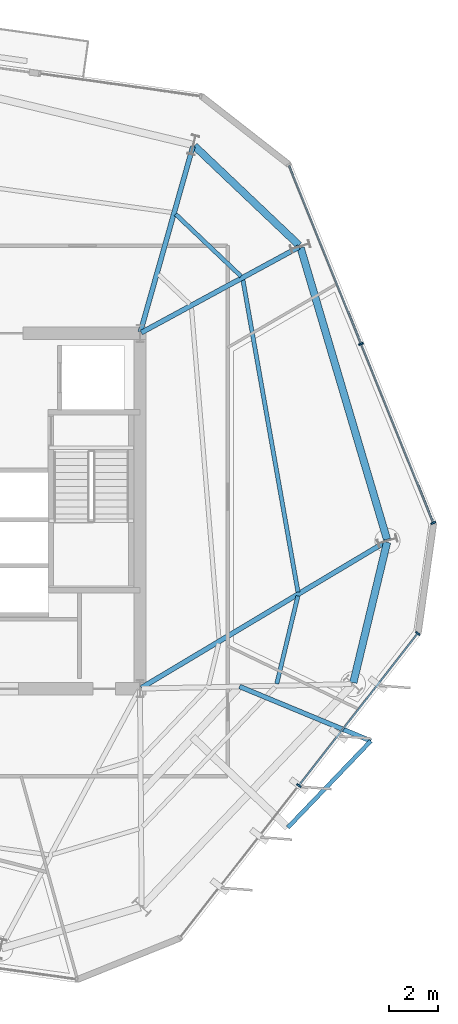
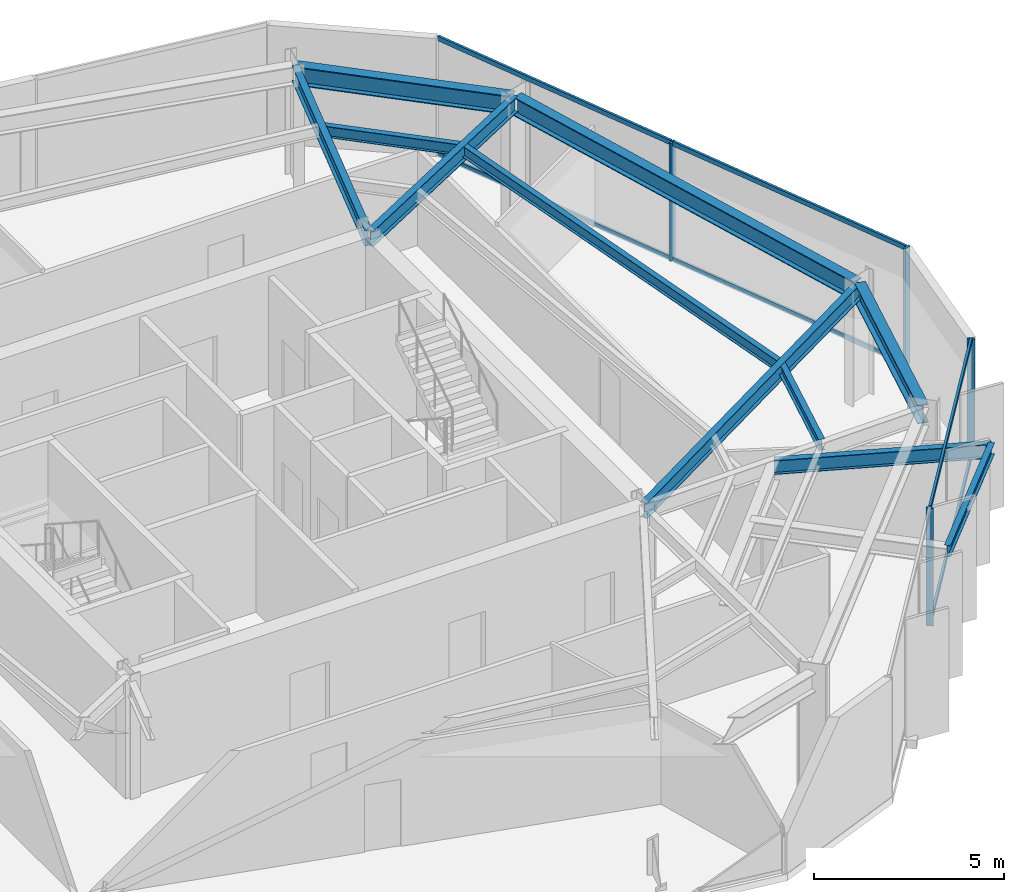
# One storey, part 4 of 11: 11 beams, 10 members, 2 elements without a shape of their own.
"""IFC4 building model written with IfcOpenShell, lengths in metres."""

from ifc_helpers import new_model, si_unit, direction, frame, origin, origin_2d, place, context, subcontext, project, spatial, rectangle, i_section, extrude, material, layer, layer_set, material_profile, profile_set, type_object, element, aggregate, save


model = new_model("IFC4")

# Units and contexts
model_context = context("Model", 3, precision=1e-05, world=origin(), true_north=direction((0.0, 1.0)))
body_context = subcontext(model_context, "Body", "Model", "MODEL_VIEW")
ifc_project = project(units=[si_unit("LENGTHUNIT", "METRE"), si_unit("AREAUNIT", "SQUARE_METRE"), si_unit("VOLUMEUNIT", "CUBIC_METRE"), si_unit("PLANEANGLEUNIT", "RADIAN"), si_unit("MASSUNIT", "GRAM", prefix="KILO")], contexts=[model_context])

# Site, building, storey
site_placement = place(None, origin())
site = spatial("IfcSite", under=ifc_project, at=site_placement, CompositionType="ELEMENT")
building_placement = place(site_placement, origin())
building = spatial("IfcBuilding", under=site, at=building_placement, Name="Kranzbogen Civic Tower", CompositionType="ELEMENT")
storey_placement = place(building_placement, frame((0.0, 0.0, 232.800048828125)))
storey = spatial("IfcBuildingStorey", under=building, at=storey_placement, Name="L56", CompositionType="ELEMENT", Elevation=232.800048828125)

# Beam
ifc_material_1 = material(Name="Steel S355", Category="steel")
ifc_material_profile_1 = material_profile(ifc_material_1, i_section(OverallWidth=0.18994140625, OverallDepth=0.449951171875, WebThickness=0.009521484375, FlangeThickness=0.0146484375, at=origin_2d()), Name="IPE 450")
ifc_profile_set_1 = profile_set([ifc_material_profile_1], Name="Steel S355")
beam_type_1 = type_object("IfcBeamType", Name="Braced Terrace Edge Beam IPE 450", PredefinedType="BEAM", material=ifc_profile_set_1)
beam_1_placement = place(storey_placement, frame((36.833984375, 17.885986328125, 3.52490234375), z_axis=(0.923841191565, -0.382775982486, 0.0), x_axis=(0.382775982486, 0.923841191565, 0.0)))
element("IfcBeam", 1, at=beam_1_placement, inside=storey, type_object=beam_type_1, Name="L57 back-spanned terrace beam L57-TB2-2", PredefinedType="BEAM", context=body_context, shape_type="SweptSolid", body=[
    extrude(i_section(OverallWidth=0.18994140625, OverallDepth=0.449951171875, WebThickness=0.009521484375, FlangeThickness=0.0146484375, at=origin_2d()), origin(), (0.0, 0.0, 1.0), 5.7607421875),
])

# Curtain wall, members
ifc_material_2 = material(Name="Pale Anodised Aluminium", Category="aluminium")
ifc_layer = layer(ifc_material_2, 0.219970703125, Name="Pale Anodised Aluminium")
ifc_layer_set = layer_set([ifc_layer], Name="Pale Anodised Aluminium")
curtain_wall_type = type_object("IfcCurtainWallType", Name="Zone 3 Stick Curtain Wall System CW-04", PredefinedType="USERDEFINED", material=ifc_layer_set)
curtain_wall_1_placement = place(storey_placement, origin())
curtain_wall_1 = element("IfcCurtainWall", 2, at=curtain_wall_1_placement, inside=storey, type_object=curtain_wall_type, Name="L56 curtain wall CW-L56-F5", ObjectType="STICK CURTAIN WALL", PredefinedType="USERDEFINED")
ifc_material_profile_2 = material_profile(ifc_material_2, rectangle(XDim=0.070068359375, YDim=0.199951171875, at=origin_2d()), Name="ALU-M 70x200")
ifc_profile_set_2 = profile_set([ifc_material_profile_2], Name="Pale Anodised Aluminium")
member_type_1 = type_object("IfcMemberType", Name="Curtain Wall Mullion ALU-M 70x200", PredefinedType="MULLION", material=ifc_profile_set_2)
member_1_placement = place(storey_placement, frame((39.239990234375, 13.8740234375, 0.0), z_axis=(0.0, 0.0, 1.0), x_axis=(0.615631687439, 0.788034025548, 0.0)))
member_1 = element("IfcMember", 3, at=member_1_placement, type_object=member_type_1, Name="CW-04 mullion 2", PredefinedType="MULLION", context=body_context, shape_type="SweptSolid", body=[
    extrude(rectangle(XDim=0.070068359375, YDim=0.199951171875, at=origin_2d()), origin(), (0.0, 0.0, 1.0), 3.780029296875),
])
member_2_placement = place(storey_placement, frame((44.056640625, 20.039306640625, 0.0), z_axis=(0.0, 0.0, 1.0), x_axis=(0.615631687439, 0.788034025548, 0.0)))
member_2 = element("IfcMember", 4, at=member_2_placement, type_object=member_type_1, Name="CW-04 mullion 3", PredefinedType="MULLION", context=body_context, shape_type="SweptSolid", body=[
    extrude(rectangle(XDim=0.070068359375, YDim=0.199951171875, at=origin_2d()), origin(), (0.0, 0.0, 1.0), 3.780029296875),
])

curtain_wall_2_placement = place(storey_placement, origin())
curtain_wall_2 = element("IfcCurtainWall", 5, at=curtain_wall_2_placement, inside=storey, type_object=curtain_wall_type, Name="L56 curtain wall CW-L56-F6", ObjectType="STICK CURTAIN WALL", PredefinedType="USERDEFINED")
member_3_placement = place(storey_placement, frame((44.686767578125, 24.515869140625, 0.0), z_axis=(0.0, 0.0, 1.0), x_axis=(-0.374593570389, 0.927189116105, 0.0)))
member_3 = element("IfcMember", 6, at=member_3_placement, type_object=member_type_1, Name="CW-04 mullion 1", PredefinedType="MULLION", context=body_context, shape_type="SweptSolid", body=[
    extrude(rectangle(XDim=0.070068359375, YDim=0.199951171875, at=origin_2d()), origin(), (0.0, 0.0, 1.0), 3.780029296875),
])
member_4_placement = place(storey_placement, frame((41.756103515625, 31.77001953125, 0.0), z_axis=(0.0, 0.0, 1.0), x_axis=(-0.374593570389, 0.927189116105, 0.0)))
member_4 = element("IfcMember", 7, at=member_4_placement, type_object=member_type_1, Name="CW-04 mullion 2", PredefinedType="MULLION", context=body_context, shape_type="SweptSolid", body=[
    extrude(rectangle(XDim=0.070068359375, YDim=0.199951171875, at=origin_2d()), origin(), (0.0, 0.0, 1.0), 3.780029296875),
])

# Member
ifc_material_profile_3 = material_profile(ifc_material_2, rectangle(XDim=0.070068359375, YDim=0.14990234375, at=origin_2d()), Name="ALU-T 70x150")
ifc_profile_set_3 = profile_set([ifc_material_profile_3], Name="Pale Anodised Aluminium")
member_type_2 = type_object("IfcMemberType", Name="Curtain Wall Transom ALU-T 70x150", PredefinedType="USERDEFINED", material=ifc_profile_set_3)
member_5_placement = place(storey_placement, frame((39.258544921875, 13.897705078125, 0.030029296875), z_axis=(0.615637329195, 0.788029618036, 0.0), x_axis=(-0.788029618036, 0.615637329195, 0.0)))
member_5 = element("IfcMember", 8, at=member_5_placement, type_object=member_type_2, Name="CW-04 transom 2.1", ObjectType="TRANSOM", PredefinedType="USERDEFINED", context=body_context, shape_type="SweptSolid", body=[
    extrude(rectangle(XDim=0.070068359375, YDim=0.14990234375, at=origin_2d()), origin(), (0.0, 0.0, 1.0), 7.763671875),
])

member_6_placement = place(storey_placement, frame((39.258544921875, 13.897705078125, 3.75), z_axis=(0.615637329195, 0.788029618036, 0.0), x_axis=(-0.788029618036, 0.615637329195, 0.0)))
member_6 = element("IfcMember", 9, at=member_6_placement, type_object=member_type_2, Name="CW-04 transom 2.2", ObjectType="TRANSOM", PredefinedType="USERDEFINED", context=body_context, shape_type="SweptSolid", body=[
    extrude(rectangle(XDim=0.070068359375, YDim=0.14990234375, at=origin_2d()), origin(), (0.0, 0.0, 1.0), 7.763671875),
])

aggregate(curtain_wall_1, [member_1, member_2, member_5, member_6])

member_7_placement = place(storey_placement, frame((44.675537109375, 24.543701171875, 0.030029296875), z_axis=(-0.374587311281, 0.927191644822, 0.0), x_axis=(-0.927191644822, -0.374587311281, 0.0)))
member_7 = element("IfcMember", 10, at=member_7_placement, type_object=member_type_2, Name="CW-04 transom 1.1", ObjectType="TRANSOM", PredefinedType="USERDEFINED", context=body_context, shape_type="SweptSolid", body=[
    extrude(rectangle(XDim=0.070068359375, YDim=0.14990234375, at=origin_2d()), origin(), (0.0, 0.0, 1.0), 7.763671875),
])

member_8_placement = place(storey_placement, frame((44.675537109375, 24.543701171875, 3.75), z_axis=(-0.374587311281, 0.927191644822, 0.0), x_axis=(-0.927191644822, -0.374587311281, 0.0)))
member_8 = element("IfcMember", 11, at=member_8_placement, type_object=member_type_2, Name="CW-04 transom 1.2", ObjectType="TRANSOM", PredefinedType="USERDEFINED", context=body_context, shape_type="SweptSolid", body=[
    extrude(rectangle(XDim=0.070068359375, YDim=0.14990234375, at=origin_2d()), origin(), (0.0, 0.0, 1.0), 7.763671875),
])

member_9_placement = place(storey_placement, frame((41.744873046875, 31.7978515625, 0.030029296875), z_axis=(-0.374614344622, 0.927180722839, 0.0), x_axis=(-0.927180722839, -0.374614344622, 0.0)))
member_9 = element("IfcMember", 12, at=member_9_placement, type_object=member_type_2, Name="CW-04 transom 2.1", ObjectType="TRANSOM", PredefinedType="USERDEFINED", context=body_context, shape_type="SweptSolid", body=[
    extrude(rectangle(XDim=0.070068359375, YDim=0.14990234375, at=origin_2d()), origin(), (0.0, 0.0, 1.0), 7.763916015625),
])

member_10_placement = place(storey_placement, frame((41.744873046875, 31.7978515625, 3.75), z_axis=(-0.374614344622, 0.927180722839, 0.0), x_axis=(-0.927180722839, -0.374614344622, 0.0)))
member_10 = element("IfcMember", 13, at=member_10_placement, type_object=member_type_2, Name="CW-04 transom 2.2", ObjectType="TRANSOM", PredefinedType="USERDEFINED", context=body_context, shape_type="SweptSolid", body=[
    extrude(rectangle(XDim=0.070068359375, YDim=0.14990234375, at=origin_2d()), origin(), (0.0, 0.0, 1.0), 7.763916015625),
])

aggregate(curtain_wall_2, [member_3, member_4, member_7, member_8, member_9, member_10])

# Beams
ifc_material_profile_4 = material_profile(ifc_material_1, i_section(OverallWidth=0.300048828125, OverallDepth=0.60009765625, WebThickness=0.015380859375, FlangeThickness=0.030029296875, at=origin_2d()), Name="HEB 600")
ifc_profile_set_4 = profile_set([ifc_material_profile_4], Name="Steel S355")
beam_type_2 = type_object("IfcBeamType", Name="Perimeter Tube Spandrel Beam HEB 600", PredefinedType="SPANDREL", material=ifc_profile_set_4)
beam_2_placement = place(storey_placement, frame((41.447021484375, 18.0419921875, 3.47998046875), z_axis=(0.233554380434, 0.972343741369, 0.0), x_axis=(-0.972343741369, 0.233554380434, 0.0)))
element("IfcBeam", 14, at=beam_2_placement, inside=storey, type_object=beam_type_2, Name="L56 perimeter spandrel beam 05", PredefinedType="SPANDREL", context=body_context, shape_type="SweptSolid", body=[
    extrude(i_section(OverallWidth=0.300048828125, OverallDepth=0.60009765625, WebThickness=0.015380859375, FlangeThickness=0.030029296875, at=origin_2d()), origin(), (0.0, 0.0, 1.0), 5.852783203125),
])
beam_3_placement = place(storey_placement, frame((42.81103515625, 23.84912109375, 3.47998046875), z_axis=(-0.284064048956, 0.958805306666, 0.0), x_axis=(-0.958805306666, -0.284064048956, 0.0)))
element("IfcBeam", 15, at=beam_3_placement, inside=storey, type_object=beam_type_2, Name="L56 perimeter spandrel beam 06", PredefinedType="SPANDREL", context=body_context, shape_type="SweptSolid", body=[
    extrude(i_section(OverallWidth=0.300048828125, OverallDepth=0.60009765625, WebThickness=0.015380859375, FlangeThickness=0.030029296875, at=origin_2d()), origin(), (0.0, 0.0, 1.0), 12.32470703125),
])
beam_4_placement = place(storey_placement, frame((39.2490234375, 35.764892578125, 3.47998046875), z_axis=(-0.725245206788, 0.688490660816, 0.0), x_axis=(-0.688490660816, -0.725245206788, 0.0)))
element("IfcBeam", 16, at=beam_4_placement, inside=storey, type_object=beam_type_2, Name="L56 perimeter spandrel beam 07", PredefinedType="SPANDREL", context=body_context, shape_type="SweptSolid", body=[
    extrude(i_section(OverallWidth=0.300048828125, OverallDepth=0.60009765625, WebThickness=0.015380859375, FlangeThickness=0.030029296875, at=origin_2d()), origin(), (0.0, 0.0, 1.0), 5.85205078125),
])
ifc_material_profile_5 = material_profile(ifc_material_1, i_section(OverallWidth=0.199951171875, OverallDepth=0.5, WebThickness=0.01025390625, FlangeThickness=0.01611328125, at=origin_2d()), Name="IPE 500")
ifc_profile_set_5 = profile_set([ifc_material_profile_5], Name="Steel S355")
beam_type_3 = type_object("IfcBeamType", Name="Radial Tower Floor Girder IPE 500", PredefinedType="BEAM", material=ifc_profile_set_5)
beam_5_placement = place(storey_placement, frame((42.77587890625, 23.760009765625, 3.530029296875), z_axis=(-0.858458551809, -0.512882944565, 0.0), x_axis=(0.512882944565, -0.858458551809, 0.0)))
element("IfcBeam", 17, at=beam_5_placement, inside=storey, type_object=beam_type_3, Name="L56 radial floor girder 06", PredefinedType="BEAM", context=body_context, shape_type="SweptSolid", body=[
    extrude(i_section(OverallWidth=0.199951171875, OverallDepth=0.5, WebThickness=0.01025390625, FlangeThickness=0.01611328125, at=origin_2d()), origin(), (0.0, 0.0, 1.0), 11.56005859375),
])
beam_6_placement = place(storey_placement, frame((39.239990234375, 35.695068359375, 3.530029296875), z_axis=(-0.878919430102, -0.476970266777, 0.0), x_axis=(0.476970266777, -0.878919430102, 0.0)))
element("IfcBeam", 18, at=beam_6_placement, inside=storey, type_object=beam_type_3, Name="L56 radial floor girder 07", PredefinedType="BEAM", context=body_context, shape_type="SweptSolid", body=[
    extrude(i_section(OverallWidth=0.199951171875, OverallDepth=0.5, WebThickness=0.01025390625, FlangeThickness=0.01611328125, at=origin_2d()), origin(), (0.0, 0.0, 1.0), 7.266845703125),
])
beam_7_placement = place(storey_placement, frame((34.945068359375, 39.777099609375, 3.530029296875), z_axis=(-0.272455078988, -0.962168503919, 0.0), x_axis=(0.962168503919, -0.272455078988, 0.0)))
element("IfcBeam", 19, at=beam_7_placement, inside=storey, type_object=beam_type_3, Name="L56 radial floor girder 08", PredefinedType="BEAM", context=body_context, shape_type="SweptSolid", body=[
    extrude(i_section(OverallWidth=0.199951171875, OverallDepth=0.5, WebThickness=0.01025390625, FlangeThickness=0.01611328125, at=origin_2d()), origin(), (0.0, 0.0, 1.0), 7.814697265625),
])
ifc_material_profile_6 = material_profile(ifc_material_1, i_section(OverallWidth=0.169921875, OverallDepth=0.360107421875, WebThickness=0.008056640625, FlangeThickness=0.0126953125, at=origin_2d()), Name="IPE 360")
ifc_profile_set_6 = profile_set([ifc_material_profile_6], Name="Steel S355")
beam_type_4 = type_object("IfcBeamType", Name="Secondary Composite Floor Joist IPE 360", PredefinedType="JOIST", material=ifc_profile_set_6)
beam_8_placement = place(storey_placement, frame((38.343994140625, 17.99609375, 3.599853515625), z_axis=(0.233534367714, 0.972348548154, 0.0), x_axis=(-0.972348548154, 0.233534367714, 0.0)))
element("IfcBeam", 20, at=beam_8_placement, inside=storey, type_object=beam_type_4, Name="L56 secondary floor joist 1.05", PredefinedType="JOIST", context=body_context, shape_type="SweptSolid", body=[
    extrude(i_section(OverallWidth=0.169921875, OverallDepth=0.360107421875, WebThickness=0.008056640625, FlangeThickness=0.0126953125, at=origin_2d()), origin(), (0.0, 0.0, 1.0), 3.6611328125),
])
beam_9_placement = place(storey_placement, frame((39.2041015625, 21.712890625, 3.599853515625), z_axis=(-0.173805911364, 0.984779927281, 0.0), x_axis=(-0.984779927281, -0.173805911364, 0.0)))
element("IfcBeam", 21, at=beam_9_placement, inside=storey, type_object=beam_type_4, Name="L56 secondary floor joist 1.06", PredefinedType="JOIST", context=body_context, shape_type="SweptSolid", body=[
    extrude(i_section(OverallWidth=0.169921875, OverallDepth=0.360107421875, WebThickness=0.008056640625, FlangeThickness=0.0126953125, at=origin_2d()), origin(), (0.0, 0.0, 1.0), 12.85986328125),
])
beam_10_placement = place(storey_placement, frame((36.89697265625, 34.510009765625, 3.599853515625), z_axis=(-0.725300648604, 0.688432254572, 0.0), x_axis=(-0.688432254572, -0.725300648604, 0.0)))
element("IfcBeam", 22, at=beam_10_placement, inside=storey, type_object=beam_type_4, Name="L56 secondary floor joist 1.07", PredefinedType="JOIST", context=body_context, shape_type="SweptSolid", body=[
    extrude(i_section(OverallWidth=0.169921875, OverallDepth=0.360107421875, WebThickness=0.008056640625, FlangeThickness=0.0126953125, at=origin_2d()), origin(), (0.0, 0.0, 1.0), 3.661865234375),
])
beam_11_placement = place(storey_placement, frame((38.791015625, 12.1689453125, 3.570068359375), z_axis=(0.691836677092, 0.722054023069, 0.0), x_axis=(-0.722054023069, 0.691836677092, 0.0)))
element("IfcBeam", 23, at=beam_11_placement, inside=storey, type_object=beam_type_4, Name="L57 terrace outer edge trimmer L57-TB2", PredefinedType="JOIST", context=body_context, shape_type="SweptSolid", body=[
    extrude(i_section(OverallWidth=0.169921875, OverallDepth=0.360107421875, WebThickness=0.008056640625, FlangeThickness=0.0126953125, at=origin_2d()), origin(), (0.0, 0.0, 1.0), 4.86376953125),
])

save(model, "model.ifc")
